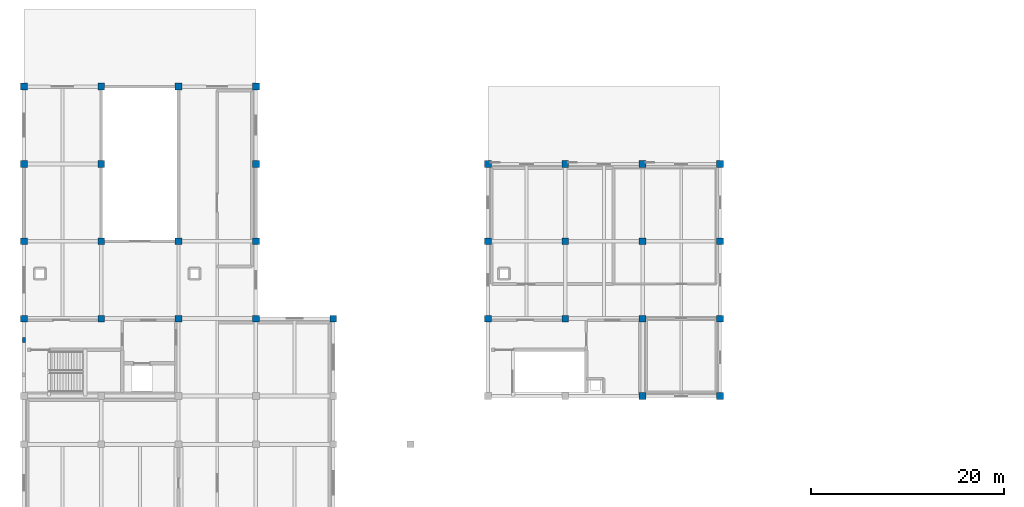
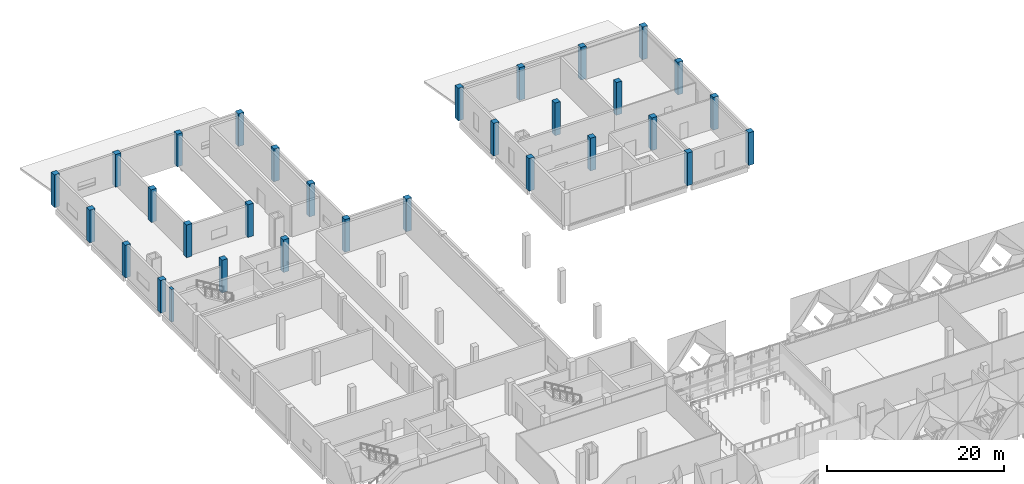
# One storey, part 4 of 37: 31 columns.
"""IFC4 building model written with IfcOpenShell, lengths in metres."""

from ifc_helpers import new_model, si_unit, direction, frame, origin, origin_2d, place, context, subcontext, project, spatial, rectangle, extrude, material, material_profile, profile_set, type_object, element, save


model = new_model("IFC4")

# Units and contexts
model_context = context("Model", 3, precision=1e-05, world=origin(), true_north=direction((0.0, 1.0)))
body_context = subcontext(model_context, "Body", "Model", "MODEL_VIEW")
ifc_project = project(units=[si_unit("LENGTHUNIT", "METRE"), si_unit("AREAUNIT", "SQUARE_METRE"), si_unit("VOLUMEUNIT", "CUBIC_METRE"), si_unit("PLANEANGLEUNIT", "RADIAN"), si_unit("MASSUNIT", "GRAM", prefix="KILO")], contexts=[model_context])

# Site, building, storey
site_placement = place(None, origin())
site = spatial("IfcSite", under=ifc_project, at=site_placement, CompositionType="ELEMENT")
building_placement = place(site_placement, origin())
building = spatial("IfcBuilding", under=site, at=building_placement, Name="Qorikala Patio Media Centre", CompositionType="ELEMENT")
storey_placement = place(building_placement, frame((0.0, 0.0, 14.39990234375)))
storey = spatial("IfcBuildingStorey", under=building, at=storey_placement, Name="L03", CompositionType="ELEMENT", Elevation=14.39990234375)

# Columns
ifc_material_1 = material(Name="Comanche Granite and Concrete C35/45", Category="masonry")
ifc_material_profile_1 = material_profile(ifc_material_1, rectangle(XDim=0.52001953125, YDim=0.320068359375, at=origin_2d()), Name="PIL 520x320")
ifc_profile_set_1 = profile_set([ifc_material_profile_1], Name="Comanche Granite and Concrete C35/45")
column_type_1 = type_object("IfcColumnType", Name="PIL-520X320", PredefinedType="PILASTER", material=ifc_profile_set_1)
column_placement = place(storey_placement, frame((3.0, 69.800048828125, 0.0), z_axis=(0.0, 0.0, 1.0), x_axis=(0.0, 1.0, 0.0)))
element("IfcColumn", 1, at=column_placement, inside=storey, type_object=column_type_1, Name="L03 West Street Core Pilaster 012", PredefinedType="PILASTER", context=body_context, shape_type="SweptSolid", body=[
    extrude(rectangle(XDim=0.52001953125, YDim=0.320068359375, at=origin_2d()), origin(), (0.0, 0.0, 1.0), 4.5),
])
ifc_material_2 = material(Name="Concrete C35/45", Category="concrete")
ifc_material_profile_2 = material_profile(ifc_material_2, rectangle(XDim=0.699951171875, YDim=0.699951171875, at=origin_2d()), Name="RC 700x700")
ifc_profile_set_2 = profile_set([ifc_material_profile_2], Name="Concrete C35/45")
column_type_2 = type_object("IfcColumnType", Name="RC-COL-700-EXT", PredefinedType="COLUMN", material=ifc_profile_set_2)
for number, where, z_axis, x_axis, name in (
    (2, (3.0, 72.0, 0.0), (0.0, 0.0, 1.0), (1.0, 0.0, 0.0), "L03 Column (3,72)"),
    (3, (3.0, 80.0, 0.0), (0.0, 0.0, 1.0), (1.0, 0.0, 0.0), "L03 Column (3,80)"),
    (4, (3.0, 88.0, 0.0), (0.0, 0.0, 1.0), (1.0, 0.0, 0.0), "L03 Column (3,88)"),
    (5, (3.0, 96.0, 0.0), (0.0, 0.0, 1.0), (1.0, 0.0, 0.0), "L03 Column (3,96)"),
    (6, (11.0, 96.0, 0.0), (0.0, 0.0, 1.0), (1.0, 0.0, 0.0), "L03 Column (11,96)"),
    (7, (19.0, 96.0, 0.0), (0.0, 0.0, 1.0), (1.0, 0.0, 0.0), "L03 Column (19,96)"),
    (8, (27.0, 72.0, 0.0), (0.0, 0.0, 1.0), (1.0, 0.0, 0.0), "L03 Column (27,72)"),
    (9, (27.0, 80.0, 0.0), (0.0, 0.0, 1.0), (1.0, 0.0, 0.0), "L03 Column (27,80)"),
    (10, (27.0, 88.0, 0.0), (0.0, 0.0, 1.0), (1.0, 0.0, 0.0), "L03 Column (27,88)"),
    (11, (27.0, 96.0, 0.0), (0.0, 0.0, 1.0), (1.0, 0.0, 0.0), "L03 Column (27,96)"),
    (12, (35.0, 72.0, 0.0), (0.0, 0.0, 1.0), (1.0, 0.0, 0.0), "L03 Column (35,72)"),
    (13, (51.0, 72.0, 0.0), (0.0, 0.0, 1.0), (1.0, 0.0, 0.0), "L03 Column (51,72)"),
    (14, (51.0, 80.0, 0.0), (0.0, 0.0, 1.0), (1.0, 0.0, 0.0), "L03 Column (51,80)"),
    (15, (51.0, 88.0, 0.0), (0.0, 0.0, 1.0), (1.0, 0.0, 0.0), "L03 Column (51,88)"),
    (16, (59.0, 88.0, 0.0), (0.0, 0.0, 1.0), (1.0, 0.0, 0.0), "L03 Column (59,88)"),
    (17, (67.0, 64.0, 0.0), (0.0, 0.0, 1.0), (1.0, 0.0, 0.0), "L03 Column (67,64)"),
    (18, (67.0, 88.0, 0.0), (0.0, 0.0, 1.0), (1.0, 0.0, 0.0), "L03 Column (67,88)"),
    (19, (75.0, 64.0, 0.0), (0.0, 0.0, 1.0), (1.0, 0.0, 0.0), "L03 Column (75,64)"),
    (20, (75.0, 72.0, 0.0), (0.0, 0.0, 1.0), (1.0, 0.0, 0.0), "L03 Column (75,72)"),
    (21, (75.0, 80.0, 0.0), (0.0, 0.0, 1.0), (1.0, 0.0, 0.0), "L03 Column (75,80)"),
    (22, (75.0, 88.0, 0.0), (0.0, 0.0, 1.0), (1.0, 0.0, 0.0), "L03 Column (75,88)"),
):
    element("IfcColumn", number, at=place(storey_placement, frame(where, z_axis=z_axis, x_axis=x_axis)), inside=storey, type_object=column_type_2, Name=name, PredefinedType="COLUMN", context=body_context, shape_type="SweptSolid", body=[
        extrude(rectangle(XDim=0.699951171875, YDim=0.699951171875, at=origin_2d()), origin(), (0.0, 0.0, 1.0), 4.5),
    ])
ifc_material_profile_3 = material_profile(ifc_material_2, rectangle(XDim=0.699951171875, YDim=0.699951171875, at=origin_2d()), Name="RC 700x700")
ifc_profile_set_3 = profile_set([ifc_material_profile_3], Name="Concrete C35/45")
column_type_3 = type_object("IfcColumnType", Name="RC-COL-700-INT", PredefinedType="COLUMN", material=ifc_profile_set_3)
for number, where, z_axis, x_axis, name in (
    (23, (11.0, 72.0, 0.0), (0.0, 0.0, 1.0), (1.0, 0.0, 0.0), "L03 Column (11,72)"),
    (24, (11.0, 80.0, 0.0), (0.0, 0.0, 1.0), (1.0, 0.0, 0.0), "L03 Column (11,80)"),
    (25, (11.0, 88.0, 0.0), (0.0, 0.0, 1.0), (1.0, 0.0, 0.0), "L03 Column (11,88)"),
    (26, (19.0, 72.0, 0.0), (0.0, 0.0, 1.0), (1.0, 0.0, 0.0), "L03 Column (19,72)"),
    (27, (19.0, 80.0, 0.0), (0.0, 0.0, 1.0), (1.0, 0.0, 0.0), "L03 Column (19,80)"),
    (28, (59.0, 72.0, 0.0), (0.0, 0.0, 1.0), (1.0, 0.0, 0.0), "L03 Column (59,72)"),
    (29, (59.0, 80.0, 0.0), (0.0, 0.0, 1.0), (1.0, 0.0, 0.0), "L03 Column (59,80)"),
    (30, (67.0, 72.0, 0.0), (0.0, 0.0, 1.0), (1.0, 0.0, 0.0), "L03 Column (67,72)"),
    (31, (67.0, 80.0, 0.0), (0.0, 0.0, 1.0), (1.0, 0.0, 0.0), "L03 Column (67,80)"),
):
    element("IfcColumn", number, at=place(storey_placement, frame(where, z_axis=z_axis, x_axis=x_axis)), inside=storey, type_object=column_type_3, Name=name, PredefinedType="COLUMN", context=body_context, shape_type="SweptSolid", body=[
        extrude(rectangle(XDim=0.699951171875, YDim=0.699951171875, at=origin_2d()), origin(), (0.0, 0.0, 1.0), 4.5),
    ])

save(model, "model.ifc")
